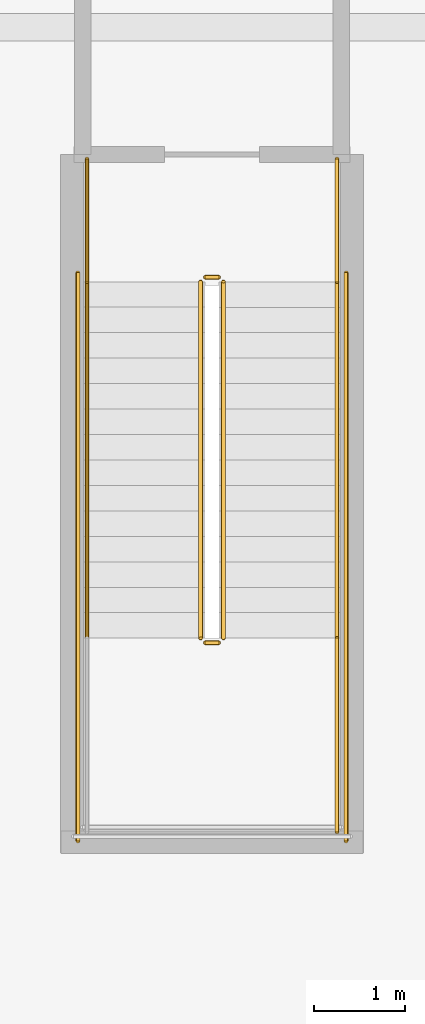
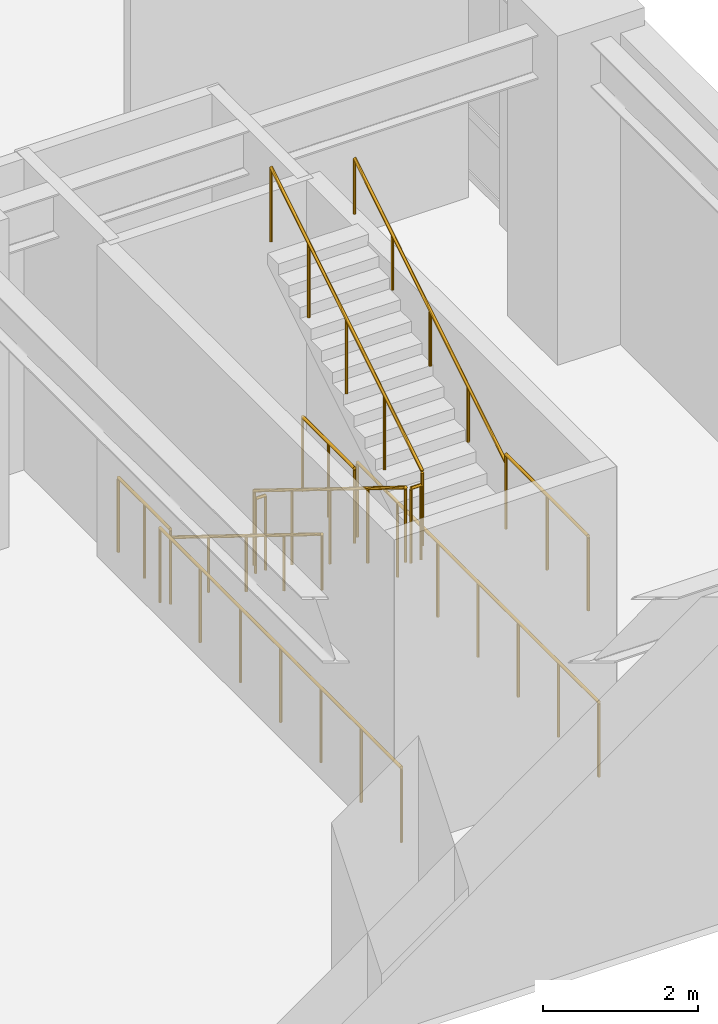
# One storey, part 26 of 26: 11 railings.
"""IFC4 building model written with IfcOpenShell, lengths in metres."""

import ifcopenshell
import ifcopenshell.guid

model = None  # the IFC model being written
_history = None  # IfcOwnerHistory: only IFC2X3 demands one
_inside = {}  # id of a spatial element -> (the spatial element, [elements in it])
_under = {}  # id of a project, library or spatial element -> (it, [spatial elements below it])
_declared = {}  # id of a project -> (the project, [libraries it declares])
_typed = {}  # id of a type object -> (the type object, [elements of that type])
_made_of = {}  # id of a material, layer set ... -> (it, [elements and type objects made of it])


def new_model(schema):
    """Start an empty IFC model of exactly this schema.

    Asked for "IFC4X3", IfcOpenShell would pick the latest addendum, in which some entities
    have other attributes; the version numbers below select the first issue.
    IFC2X3 requires an IfcOwnerHistory on every rooted entity: one is made here for all.
    """
    global model, _history
    if schema == "IFC4X3":
        model = ifcopenshell.file(schema_version=(4, 3, 0, 0))
    else:
        model = ifcopenshell.file(schema=schema)
    _inside.clear()
    _under.clear()
    _declared.clear()
    _typed.clear()
    _made_of.clear()
    _history = None
    if model.schema == "IFC2X3":
        org = make("IfcOrganization", Name="unknown")
        user = make(
            "IfcPersonAndOrganization",
            ThePerson=make("IfcPerson", FamilyName="unknown"),
            TheOrganization=org,
        )
        app = make(
            "IfcApplication",
            ApplicationDeveloper=org,
            Version="unknown",
            ApplicationFullName="unknown",
            ApplicationIdentifier="unknown",
        )
        _history = make(
            "IfcOwnerHistory",
            OwningUser=user,
            OwningApplication=app,
            ChangeAction="ADDED",
            CreationDate=0,
        )
    return model


def make(cls, **values):
    """One entity of the class cls with the attributes given. An attribute that is None is left unset."""
    return model.create_entity(
        cls, **{name: value for name, value in values.items() if value is not None}
    )


def rooted(cls, **values):
    """An entity with a GlobalId (a new one), such as an element, a storey or a relation."""
    return make(cls, GlobalId=ifcopenshell.guid.new(), OwnerHistory=_history, **values)


def si_unit(unit_type, name, prefix=None):
    """IfcSIUnit, for example si_unit("LENGTHUNIT", "METRE", prefix="MILLI")."""
    return make("IfcSIUnit", UnitType=unit_type, Prefix=prefix, Name=name)


def assignment(units):
    """IfcUnitAssignment: the units of a project."""
    return None if units is None else make("IfcUnitAssignment", Units=units)


def point(xyz):
    """IfcCartesianPoint."""
    return None if xyz is None else make("IfcCartesianPoint", Coordinates=xyz)


def direction(xyz):
    """IfcDirection."""
    return None if xyz is None else make("IfcDirection", DirectionRatios=xyz)


def frame(location, z_axis=None, x_axis=None):
    """IfcAxis2Placement3D, a coordinate frame: its origin and axes. An axis left out is left unset."""
    return make(
        "IfcAxis2Placement3D",
        Location=point(location),
        Axis=direction(z_axis),
        RefDirection=direction(x_axis),
    )


def frame_2d(location, x_axis=None):
    """IfcAxis2Placement2D, a coordinate frame in the plane: its origin and x axis."""
    return make(
        "IfcAxis2Placement2D", Location=point(location), RefDirection=direction(x_axis)
    )


def origin():
    """The frame at (0, 0, 0) with its axes left unset."""
    return frame((0.0, 0.0, 0.0))


def origin_2d():
    """The frame at (0, 0) in the plane with its x axis left unset."""
    return frame_2d((0.0, 0.0))


def place(relative_to, where):
    """IfcLocalPlacement: puts the frame where relative to a parent placement (None: the world)."""
    return make(
        "IfcLocalPlacement", PlacementRelTo=relative_to, RelativePlacement=where
    )


def context(
    kind, dimensions, precision=None, world=None, true_north=None, identifier=None
):
    """IfcGeometricRepresentationContext, for example the 3D "Model" context."""
    return make(
        "IfcGeometricRepresentationContext",
        ContextIdentifier=identifier,
        ContextType=kind,
        CoordinateSpaceDimension=dimensions,
        Precision=precision,
        WorldCoordinateSystem=world,
        TrueNorth=true_north,
    )


def subcontext(parent, identifier, kind, view, scale=None):
    """IfcGeometricRepresentationSubContext, for example "Body" below "Model"."""
    return make(
        "IfcGeometricRepresentationSubContext",
        ContextIdentifier=identifier,
        ContextType=kind,
        ParentContext=parent,
        TargetScale=scale,
        TargetView=view,
    )


def project(units=None, contexts=None):
    """IfcProject with its units and contexts."""
    return rooted(
        "IfcProject",
        Name="project",
        RepresentationContexts=contexts,
        UnitsInContext=assignment(units),
    )


def spatial(cls, under=None, at=None, **own):
    """A site, building, storey or space (cls), placed at a placement, below another one or the project."""
    s = rooted(cls, ObjectPlacement=at, **own)
    if under is not None:
        _under.setdefault(under.id(), (under, []))[1].append(s)
    return s


def profile(cls, at=None, kind="AREA", **sizes):
    """A parametric profile (cls). Its sizes go by their IFC names, for example OverallWidth=200.0."""
    return make(cls, ProfileType=kind, Position=at, **sizes)


def circle(**sizes):
    """IfcCircleProfileDef."""
    return profile("IfcCircleProfileDef", **sizes)


def extrude(swept, where, along, depth):
    """IfcExtrudedAreaSolid: the profile swept, set in the frame where, extruded along a direction by depth."""
    return make(
        "IfcExtrudedAreaSolid",
        SweptArea=swept,
        Position=where,
        ExtrudedDirection=direction(along),
        Depth=depth,
    )


def shape(context_of_items, identifier, shape_type, items):
    """IfcShapeRepresentation: the items that make up one representation, for example the "Body"."""
    return make(
        "IfcShapeRepresentation",
        ContextOfItems=context_of_items,
        RepresentationIdentifier=identifier,
        RepresentationType=shape_type,
        Items=items,
    )


def material(Name=None, Category=None):
    """IfcMaterial."""
    return make("IfcMaterial", Name=Name, Category=Category)


def made_of(thing, what):
    """Note that an element or type object is made of a material, layer set ...; save() writes the relation."""
    if what is not None:
        _made_of.setdefault(what.id(), (what, []))[1].append(thing)
    return thing


def type_object(cls, material=None, **own):
    """A type object (cls), such as IfcWallType, which elements share."""
    return made_of(rooted(cls, **own), material)


def element(
    cls,
    number,
    at=None,
    inside=None,
    cuts=None,
    type_object=None,
    material=None,
    context=None,
    identifier="Body",
    shape_type=None,
    held_by="IfcProductDefinitionShape",
    body=None,
    shapes=None,
    **own,
):
    """One element of the class cls, such as IfcWall. Its Tag is "e" and its number.

    at: its placement. inside: the storey or other place that contains it. cuts: it is an
    opening in that element (IfcRelVoidsElement). A single representation is given by context,
    identifier, shape_type and body (its items); several are given by shapes. held_by: the class
    of the entity that holds the representations. save() writes the other relations.
    """
    e = rooted(cls, Tag="e%d" % number, ObjectPlacement=at, **own)
    if body is not None:
        shapes = [shape(context, identifier, shape_type, body)]
    if shapes is not None:
        e.Representation = make(held_by, Representations=shapes)
    if inside is not None:
        _inside.setdefault(inside.id(), (inside, []))[1].append(e)
    if cuts is not None:
        rooted(
            "IfcRelVoidsElement", RelatingBuildingElement=cuts, RelatedOpeningElement=e
        )
    if type_object is not None:
        _typed.setdefault(type_object.id(), (type_object, []))[1].append(e)
    return made_of(e, material)


def aggregate(whole, parts):
    """IfcRelAggregates: a whole, such as a stair, and the parts it consists of."""
    return rooted("IfcRelAggregates", RelatingObject=whole, RelatedObjects=parts)


def save(model, path):
    """Write the relations noted so far, then the file.

    IfcRelAggregates (storeys below a building ...), IfcRelContainedInSpatialStructure (elements
    in a storey), IfcRelDefinesByType, IfcRelAssociatesMaterial and IfcRelDeclares: one each for
    every whole, place, type object, material and project.
    """
    for whole, parts in _under.values():
        aggregate(whole, parts)
    for where, things in _inside.values():
        rooted(
            "IfcRelContainedInSpatialStructure",
            RelatedElements=things,
            RelatingStructure=where,
        )
    for kind, things in _typed.values():
        rooted("IfcRelDefinesByType", RelatedObjects=things, RelatingType=kind)
    for what, things in _made_of.values():
        rooted("IfcRelAssociatesMaterial", RelatedObjects=things, RelatingMaterial=what)
    for by, libraries in _declared.values():
        rooted("IfcRelDeclares", RelatingContext=by, RelatedDefinitions=libraries)
    model.write(path)


model = new_model("IFC4")

# Units and contexts
model_context = context("Model", 3, precision=1e-05, world=origin(), true_north=direction((0.0, 1.0)))
body_context = subcontext(model_context, "Body", "Model", "MODEL_VIEW")
ifc_project = project(units=[si_unit("LENGTHUNIT", "METRE"), si_unit("AREAUNIT", "SQUARE_METRE"), si_unit("VOLUMEUNIT", "CUBIC_METRE"), si_unit("PLANEANGLEUNIT", "RADIAN"), si_unit("MASSUNIT", "GRAM", prefix="KILO")], contexts=[model_context])

# Site, building, storey
site_placement = place(None, origin())
site = spatial("IfcSite", under=ifc_project, at=site_placement, CompositionType="ELEMENT")
building_placement = place(site_placement, origin())
building = spatial("IfcBuilding", under=site, at=building_placement, Name="Voryun Gate Residences", CompositionType="ELEMENT")
storey_placement = place(building_placement, frame((0.0, 0.0, 10.39990234375)))
storey = spatial("IfcBuildingStorey", under=building, at=storey_placement, Name="L02", CompositionType="ELEMENT", Elevation=10.39990234375)

# Railings
ifc_material_1 = material(Name="Painted steel", Category="steel")
railing_type_1 = type_object("IfcRailingType", Name="RAIL_STAIR_GUARD_1200", PredefinedType="GUARDRAIL", material=ifc_material_1)
railing_1_placement = place(storey_placement, frame((28.675048828125, -14.199951171875, 0.17333984375)))
element("IfcRailing", 1, at=railing_1_placement, inside=storey, type_object=railing_type_1, Name="L02 ST-P2 stair guard 1", PredefinedType="GUARDRAIL", context=body_context, shape_type="SweptSolid", body=[
    extrude(circle(Radius=0.02392578125, at=origin_2d()), frame((0.0, 0.0, 1.17578125), z_axis=(0.0, -0.850266275192, 0.526352791643), x_axis=(1.0, 0.0, 0.0)), (0.0, 0.0, 1.0), 4.610595703125),
    extrude(circle(Radius=0.02099609375, at=origin_2d()), origin(), (0.0, 0.0, 1.0), 1.15185546875),
    extrude(circle(Radius=0.02099609375, at=origin_2d()), frame((0.0, -0.97998046875, 0.606689453125)), (0.0, 0.0, 1.0), 1.15185546875),
    extrude(circle(Radius=0.02099609375, at=origin_2d()), frame((0.0, -1.9599609375, 1.21337890625)), (0.0, 0.0, 1.0), 1.15185546875),
    extrude(circle(Radius=0.02099609375, at=origin_2d()), frame((0.0, -2.940185546875, 1.820068359375)), (0.0, 0.0, 1.0), 1.15185546875),
    extrude(circle(Radius=0.02099609375, at=origin_2d()), frame((0.0, -3.920166015625, 2.4267578125)), (0.0, 0.0, 1.0), 1.15185546875),
])
railing_2_placement = place(storey_placement, frame((28.72509765625, -18.169921875, 2.60009765625)))
element("IfcRailing", 2, at=railing_2_placement, inside=storey, type_object=railing_type_1, Name="L02 ST-P2 stair guard 2", PredefinedType="GUARDRAIL", context=body_context, shape_type="SweptSolid", body=[
    extrude(circle(Radius=0.02392578125, at=origin_2d()), frame((0.0, 0.0, 1.17578125), z_axis=(1.0, 0.0, 0.0), x_axis=(0.0, 1.0, 0.0)), (0.0, 0.0, 1.0), 0.14990234375),
    extrude(circle(Radius=0.02099609375, at=origin_2d()), origin(), (0.0, 0.0, 1.0), 1.15185546875),
    extrude(circle(Radius=0.02099609375, at=origin_2d()), frame((0.14990234375, 0.0, 0.0)), (0.0, 0.0, 1.0), 1.15185546875),
])
railing_3_placement = place(storey_placement, frame((30.175048828125, -18.1201171875, 2.60009765625)))
element("IfcRailing", 3, at=railing_3_placement, inside=storey, type_object=railing_type_1, Name="L02 ST-P2 stair guard 4", PredefinedType="GUARDRAIL", context=body_context, shape_type="SweptSolid", body=[
    extrude(circle(Radius=0.02392578125, at=origin_2d()), frame((0.0, 0.0, 1.17578125), z_axis=(0.0, -1.0, 0.0), x_axis=(1.0, 0.0, 0.0)), (0.0, 0.0, 1.0), 2.1298828125),
    extrude(circle(Radius=0.02099609375, at=origin_2d()), origin(), (0.0, 0.0, 1.0), 1.15185546875),
    extrude(circle(Radius=0.02099609375, at=origin_2d()), frame((0.0, -1.06494140625, 0.0)), (0.0, 0.0, 1.0), 1.15185546875),
    extrude(circle(Radius=0.02099609375, at=origin_2d()), frame((0.0, -2.1298828125, 0.0)), (0.0, 0.0, 1.0), 1.15185546875),
])
railing_4_placement = place(storey_placement, frame((28.925048828125, -18.1201171875, 2.7734375)))
element("IfcRailing", 4, at=railing_4_placement, inside=storey, type_object=railing_type_1, Name="L02 ST-P2 stair guard 6", PredefinedType="GUARDRAIL", context=body_context, shape_type="SweptSolid", body=[
    extrude(circle(Radius=0.02392578125, at=origin_2d()), frame((0.0, 0.0, 1.17578125), z_axis=(0.0, 0.850266275192, 0.526352791643), x_axis=(-1.0, 0.0, 0.0)), (0.0, 0.0, 1.0), 4.610595703125),
    extrude(circle(Radius=0.02099609375, at=origin_2d()), origin(), (0.0, 0.0, 1.0), 1.15185546875),
    extrude(circle(Radius=0.02099609375, at=origin_2d()), frame((0.0, 0.97998046875, 0.606689453125)), (0.0, 0.0, 1.0), 1.15185546875),
    extrude(circle(Radius=0.02099609375, at=origin_2d()), frame((0.0, 1.9599609375, 1.21337890625)), (0.0, 0.0, 1.0), 1.15185546875),
    extrude(circle(Radius=0.02099609375, at=origin_2d()), frame((0.0, 2.940185546875, 1.820068359375)), (0.0, 0.0, 1.0), 1.15185546875),
    extrude(circle(Radius=0.02099609375, at=origin_2d()), frame((0.0, 3.920166015625, 2.4267578125)), (0.0, 0.0, 1.0), 1.15185546875),
])
railing_5_placement = place(storey_placement, frame((28.72509765625, -14.14990234375, 0.0)))
element("IfcRailing", 5, at=railing_5_placement, inside=storey, type_object=railing_type_1, Name="L02 ST-P2 stair guard 7", PredefinedType="GUARDRAIL", context=body_context, shape_type="SweptSolid", body=[
    extrude(circle(Radius=0.02392578125, at=origin_2d()), frame((0.0, 0.0, 1.17578125), z_axis=(1.0, 0.0, 0.0), x_axis=(0.0, 1.0, 0.0)), (0.0, 0.0, 1.0), 0.14990234375),
    extrude(circle(Radius=0.02099609375, at=origin_2d()), origin(), (0.0, 0.0, 1.0), 1.15185546875),
    extrude(circle(Radius=0.02099609375, at=origin_2d()), frame((0.14990234375, 0.0, 0.0)), (0.0, 0.0, 1.0), 1.15185546875),
])
for number, where, name in (
    (6, (27.425048828125, -12.85009765625, 0.0), "L02 ST-P2 stair guard 8"),
    (7, (30.175048828125, -12.85009765625, 0.0), "L02 ST-P2 stair guard 9"),
):
    element("IfcRailing", number, at=place(storey_placement, frame(where)), inside=storey, type_object=railing_type_1, Name=name, PredefinedType="GUARDRAIL", context=body_context, shape_type="SweptSolid", body=[
        extrude(circle(Radius=0.02392578125, at=origin_2d()), frame((0.0, 0.0, 1.17578125), z_axis=(0.0, -1.0, 0.0), x_axis=(1.0, 0.0, 0.0)), (0.0, 0.0, 1.0), 1.349853515625),
        extrude(circle(Radius=0.02099609375, at=origin_2d()), origin(), (0.0, 0.0, 1.0), 1.15185546875),
        extrude(circle(Radius=0.02099609375, at=origin_2d()), frame((0.0, -0.6748046875, 0.0)), (0.0, 0.0, 1.0), 1.15185546875),
        extrude(circle(Radius=0.02099609375, at=origin_2d()), frame((0.0, -1.349853515625, 0.0)), (0.0, 0.0, 1.0), 1.15185546875),
    ])
for number, where, name in (
    (8, (27.324951171875, -14.10009765625, 0.0), "L02 ST-P2 stair guard 10"),
    (9, (30.27490234375, -14.10009765625, 0.0), "L02 ST-P2 stair guard 11"),
):
    element("IfcRailing", number, at=place(storey_placement, frame(where)), inside=storey, type_object=railing_type_1, Name=name, PredefinedType="GUARDRAIL", context=body_context, shape_type="SweptSolid", body=[
        extrude(circle(Radius=0.02392578125, at=origin_2d()), frame((0.0, 0.0, 1.17578125), z_axis=(0.0, -1.0, 0.0), x_axis=(1.0, 0.0, 0.0)), (0.0, 0.0, 1.0), 6.25),
        extrude(circle(Radius=0.02099609375, at=origin_2d()), origin(), (0.0, 0.0, 1.0), 1.15185546875),
        extrude(circle(Radius=0.02099609375, at=origin_2d()), frame((0.0, -1.041748046875, 0.0)), (0.0, 0.0, 1.0), 1.15185546875),
        extrude(circle(Radius=0.02099609375, at=origin_2d()), frame((0.0, -2.083251953125, 0.0)), (0.0, 0.0, 1.0), 1.15185546875),
        extrude(circle(Radius=0.02099609375, at=origin_2d()), frame((0.0, -3.125, 0.0)), (0.0, 0.0, 1.0), 1.15185546875),
        extrude(circle(Radius=0.02099609375, at=origin_2d()), frame((0.0, -4.166748046875, 0.0)), (0.0, 0.0, 1.0), 1.15185546875),
        extrude(circle(Radius=0.02099609375, at=origin_2d()), frame((0.0, -5.208251953125, 0.0)), (0.0, 0.0, 1.0), 1.15185546875),
        extrude(circle(Radius=0.02099609375, at=origin_2d()), frame((0.0, -6.25, 0.0)), (0.0, 0.0, 1.0), 1.15185546875),
    ])
ifc_material_2 = material(Name="Painted steel", Category="steel")
railing_type_2 = type_object("IfcRailingType", Name="RAIL_STAIR_HANDRAIL_900", PredefinedType="HANDRAIL", material=ifc_material_2)
railing_6_placement = place(storey_placement, frame((27.425048828125, -14.199951171875, 0.17333984375)))
element("IfcRailing", 10, at=railing_6_placement, inside=storey, type_object=railing_type_2, Name="L02 ST-P2 stair handrail 1", PredefinedType="HANDRAIL", context=body_context, shape_type="SweptSolid", body=[
    extrude(circle(Radius=0.02392578125, at=origin_2d()), frame((0.0, 0.0, 0.8759765625), z_axis=(0.0, -0.850266275192, 0.526352791643), x_axis=(1.0, 0.0, 0.0)), (0.0, 0.0, 1.0), 4.610595703125),
    extrude(circle(Radius=0.02099609375, at=origin_2d()), origin(), (0.0, 0.0, 1.0), 0.851806640625),
    extrude(circle(Radius=0.02099609375, at=origin_2d()), frame((0.0, -0.97998046875, 0.606689453125)), (0.0, 0.0, 1.0), 0.851806640625),
    extrude(circle(Radius=0.02099609375, at=origin_2d()), frame((0.0, -1.9599609375, 1.21337890625)), (0.0, 0.0, 1.0), 0.851806640625),
    extrude(circle(Radius=0.02099609375, at=origin_2d()), frame((0.0, -2.940185546875, 1.820068359375)), (0.0, 0.0, 1.0), 0.851806640625),
    extrude(circle(Radius=0.02099609375, at=origin_2d()), frame((0.0, -3.920166015625, 2.4267578125)), (0.0, 0.0, 1.0), 0.851806640625),
])
railing_7_placement = place(storey_placement, frame((30.175048828125, -18.1201171875, 2.7734375)))
element("IfcRailing", 11, at=railing_7_placement, inside=storey, type_object=railing_type_2, Name="L02 ST-P2 stair handrail 2", PredefinedType="HANDRAIL", context=body_context, shape_type="SweptSolid", body=[
    extrude(circle(Radius=0.02392578125, at=origin_2d()), frame((0.0, 0.0, 0.8759765625), z_axis=(0.0, 0.850266275192, 0.526352791643), x_axis=(-1.0, 0.0, 0.0)), (0.0, 0.0, 1.0), 4.610595703125),
    extrude(circle(Radius=0.02099609375, at=origin_2d()), origin(), (0.0, 0.0, 1.0), 0.851806640625),
    extrude(circle(Radius=0.02099609375, at=origin_2d()), frame((0.0, 0.97998046875, 0.606689453125)), (0.0, 0.0, 1.0), 0.851806640625),
    extrude(circle(Radius=0.02099609375, at=origin_2d()), frame((0.0, 1.9599609375, 1.21337890625)), (0.0, 0.0, 1.0), 0.851806640625),
    extrude(circle(Radius=0.02099609375, at=origin_2d()), frame((0.0, 2.940185546875, 1.820068359375)), (0.0, 0.0, 1.0), 0.851806640625),
    extrude(circle(Radius=0.02099609375, at=origin_2d()), frame((0.0, 3.920166015625, 2.4267578125)), (0.0, 0.0, 1.0), 0.851806640625),
])

save(model, "model.ifc")
